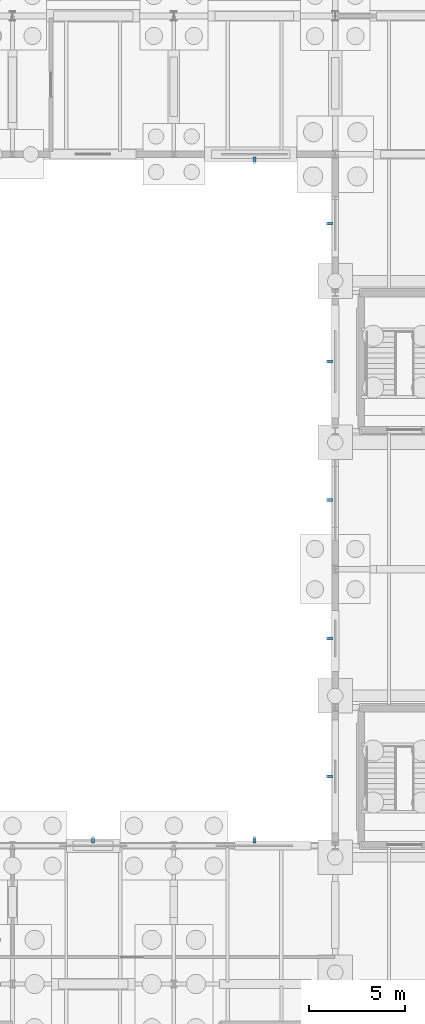
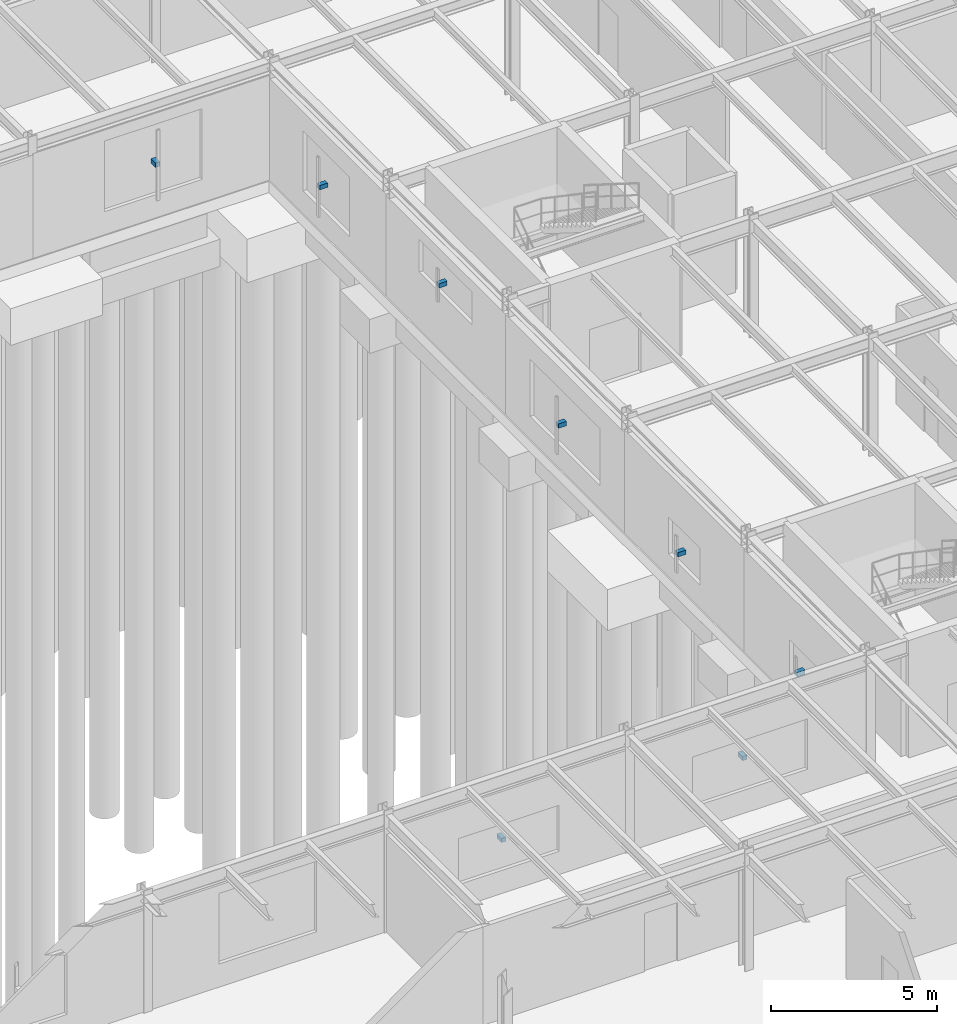
# One storey, part 71 of 93: 8 discrete accessories.
"""IFC4 building model written with IfcOpenShell, lengths in metres."""

from ifc_helpers import new_model, si_unit, derived_unit, direction, frame, origin, origin_2d, place, context, subcontext, project, spatial, rectangle, extrude, material, type_object, element, save


model = new_model("IFC4")

# Units and contexts
model_context = context("Model", 3, precision=1e-05, world=origin(), true_north=direction((0.0, 1.0)))
body_context = subcontext(model_context, "Body", "Model", "MODEL_VIEW")
ifc_project = project(units=[si_unit("LENGTHUNIT", "METRE"), si_unit("AREAUNIT", "SQUARE_METRE"), si_unit("VOLUMEUNIT", "CUBIC_METRE"), si_unit("PLANEANGLEUNIT", "RADIAN"), si_unit("MASSUNIT", "GRAM", prefix="KILO"), derived_unit("THERMALTRANSMITTANCEUNIT", [(si_unit("MASSUNIT", "GRAM", prefix="KILO"), 1), (si_unit("TIMEUNIT", "SECOND"), -3), (si_unit("THERMODYNAMICTEMPERATUREUNIT", "KELVIN"), -1)])], contexts=[model_context])

# Site, building, storey
site_placement = place(None, origin())
site = spatial("IfcSite", under=ifc_project, at=site_placement, CompositionType="ELEMENT")
building_placement = place(site_placement, origin())
building = spatial("IfcBuilding", under=site, at=building_placement, Name="Kharveza Railside Sports Centre", CompositionType="ELEMENT")
storey_placement = place(building_placement, origin())
storey = spatial("IfcBuildingStorey", under=building, at=storey_placement, Name="L00", CompositionType="ELEMENT", Elevation=0.0)

# Discrete accessories
ifc_material = material(Name="Steel S275JR", Category="steel")
discrete_accessory_type = type_object("IfcDiscreteAccessoryType", Name="DA-BK01", PredefinedType="BRACKET", material=ifc_material)
for number, where, z_axis, x_axis, name in (
    (1, (138.60009765625, 71.7099609375, 2.06982421875), (0.0, 0.0, 1.0), (0.0, -1.0, 0.0), "BK-FIN-002"),
    (2, (142.510009765625, 68.39990234375, 1.8701171875), (0.0, 0.0, 1.0), (-1.0, 0.0, 0.0), "BK-FIN-003"),
    (3, (142.510009765625, 61.199951171875, 2.6201171875), (0.0, 0.0, 1.0), (-1.0, 0.0, 0.0), "BK-FIN-004"),
    (4, (142.510009765625, 54.0, 1.81982421875), (0.0, 0.0, 1.0), (-1.0, 0.0, 0.0), "BK-FIN-005"),
    (5, (142.510009765625, 46.800048828125, 1.44482421875), (0.0, 0.0, 1.0), (-1.0, 0.0, 0.0), "BK-FIN-006"),
    (6, (142.510009765625, 39.60009765625, 1.39501953125), (0.0, 0.0, 1.0), (-1.0, 0.0, 0.0), "BK-FIN-007"),
    (7, (138.60009765625, 36.2900390625, 1.69482421875), (0.0, 0.0, 1.0), (0.0, 1.0, 0.0), "BK-FIN-008"),
    (8, (130.199951171875, 36.2900390625, 1.6201171875), (0.0, 0.0, 1.0), (0.0, 1.0, 0.0), "BK-FIN-009"),
):
    element("IfcDiscreteAccessory", number, at=place(storey_placement, frame(where, z_axis=z_axis, x_axis=x_axis)), inside=storey, type_object=discrete_accessory_type, Name=name, PredefinedType="BRACKET", context=body_context, shape_type="SweptSolid", body=[
        extrude(rectangle(XDim=0.280029296875, YDim=0.159912109375, at=origin_2d()), origin(), (0.0, 0.0, 1.0), 0.159912109375),
    ])

save(model, "model.ifc")
